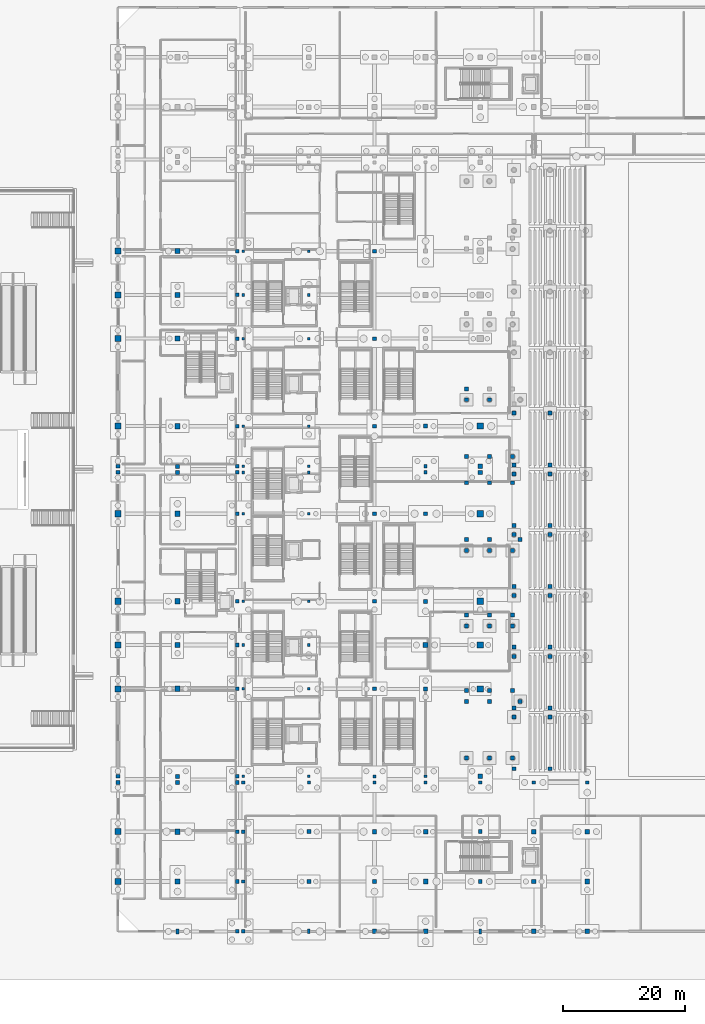
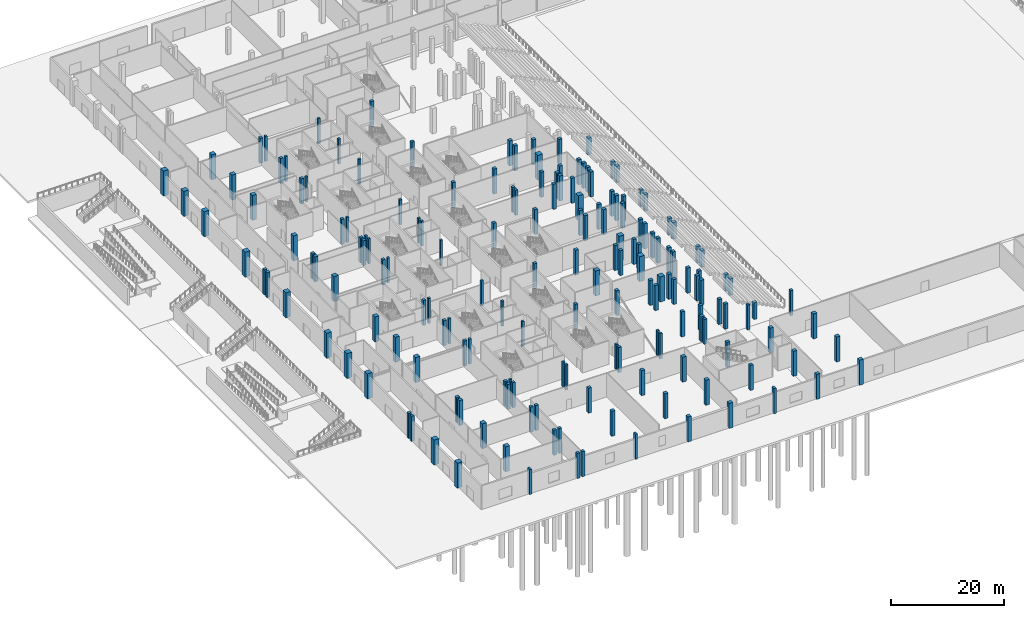
# One storey, part 15 of 89: 171 columns.
"""IFC4 building model written with IfcOpenShell, lengths in metres."""

from ifc_helpers import new_model, si_unit, direction, frame, origin, origin_2d, place, context, subcontext, project, spatial, rectangle, extrude, material, material_profile, profile_set, type_object, element, save


model = new_model("IFC4")

# Units and contexts
model_context = context("Model", 3, precision=1e-05, world=origin(), true_north=direction((0.0, 1.0)))
body_context = subcontext(model_context, "Body", "Model", "MODEL_VIEW")
ifc_project = project(units=[si_unit("LENGTHUNIT", "METRE"), si_unit("AREAUNIT", "SQUARE_METRE"), si_unit("VOLUMEUNIT", "CUBIC_METRE"), si_unit("PLANEANGLEUNIT", "RADIAN"), si_unit("MASSUNIT", "GRAM", prefix="KILO")], contexts=[model_context])

# Site, building, storey
site_placement = place(None, origin())
site = spatial("IfcSite", under=ifc_project, at=site_placement, CompositionType="ELEMENT")
building_placement = place(site_placement, origin())
building = spatial("IfcBuilding", under=site, at=building_placement, Name="Koshinbarg Plaza Stadium", CompositionType="ELEMENT")
storey_placement = place(building_placement, origin())
storey = spatial("IfcBuildingStorey", under=building, at=storey_placement, Name="L00", CompositionType="ELEMENT", Elevation=0.0)

# Columns
ifc_material = material(Name="Concrete C40/50", Category="concrete")
ifc_material_profile_1 = material_profile(ifc_material, rectangle(XDim=0.39990234375, YDim=0.699951171875, at=origin_2d()), Name="PIL 400x700")
ifc_profile_set_1 = profile_set([ifc_material_profile_1], Name="Concrete C40/50")
column_type_1 = type_object("IfcColumnType", Name="COL-PIL-01", PredefinedType="PILASTER", material=ifc_profile_set_1)
column_1_placement = place(storey_placement, frame((35.39990234375, 0.0, 0.0), z_axis=(0.0, 0.0, 1.0), x_axis=(1.0, 0.0, 0.0)))
element("IfcColumn", 1, at=column_1_placement, inside=storey, type_object=column_type_1, Name="L00 column 6/A", PredefinedType="PILASTER", context=body_context, shape_type="SweptSolid", body=[
    extrude(rectangle(XDim=0.39990234375, YDim=0.699951171875, at=origin_2d()), origin(), (0.0, 0.0, 1.0), 5.39990234375),
])
ifc_material_profile_2 = material_profile(ifc_material, rectangle(XDim=0.449951171875, YDim=0.800048828125, at=origin_2d()), Name="PIL 450x800")
ifc_profile_set_2 = profile_set([ifc_material_profile_2], Name="Concrete C40/50")
column_type_2 = type_object("IfcColumnType", Name="COL-PIL-02", PredefinedType="PILASTER", material=ifc_profile_set_2)
for number, where, z_axis, x_axis, name in (
    (2, (13.800048828125, 0.0, 0.0), (0.0, 0.0, 1.0), (1.0, 0.0, 0.0), "L00 column 3/A"),
    (3, (63.60009765625, 0.0, 0.0), (0.0, 0.0, 1.0), (1.0, 0.0, 0.0), "L00 column 9/A"),
):
    element("IfcColumn", number, at=place(storey_placement, frame(where, z_axis=z_axis, x_axis=x_axis)), inside=storey, type_object=column_type_2, Name=name, PredefinedType="PILASTER", context=body_context, shape_type="SweptSolid", body=[
        extrude(rectangle(XDim=0.449951171875, YDim=0.800048828125, at=origin_2d()), origin(), (0.0, 0.0, 1.0), 5.39990234375),
    ])
ifc_material_profile_3 = material_profile(ifc_material, rectangle(XDim=0.449951171875, YDim=0.449951171875, at=origin_2d()), Name="RC 450x450")
ifc_profile_set_3 = profile_set([ifc_material_profile_3], Name="Concrete C40/50")
column_type_3 = type_object("IfcColumnType", Name="COL-RC-01", PredefinedType="COLUMN", material=ifc_profile_set_3)
for number, where, z_axis, x_axis, name in (
    (4, (24.60009765625, 25.5, 0.0), (0.0, 0.0, 1.0), (1.0, 0.0, 0.0), "L00 column 5/E"),
    (5, (24.60009765625, 39.89990234375, 0.0), (0.0, 0.0, 1.0), (1.0, 0.0, 0.0), "L00 column 5/F"),
    (6, (24.60009765625, 47.10009765625, 0.0), (0.0, 0.0, 1.0), (1.0, 0.0, 0.0), "L00 column 5/G"),
    (7, (24.60009765625, 54.300048828125, 0.0), (0.0, 0.0, 1.0), (1.0, 0.0, 0.0), "L00 column 5/H"),
    (8, (24.60009765625, 68.699951171875, 0.0), (0.0, 0.0, 1.0), (1.0, 0.0, 0.0), "L00 column 5/J"),
    (9, (24.60009765625, 75.5, 0.0), (0.0, 0.0, 1.0), (1.0, 0.0, 0.0), "L00 column 5/K"),
    (10, (24.60009765625, 76.5, 0.0), (0.0, 0.0, 1.0), (1.0, 0.0, 0.0), "L00 column 5/L"),
    (11, (24.60009765625, 83.10009765625, 0.0), (0.0, 0.0, 1.0), (1.0, 0.0, 0.0), "L00 column 5/M"),
    (12, (24.60009765625, 97.5, 0.0), (0.0, 0.0, 1.0), (1.0, 0.0, 0.0), "L00 column 5/N"),
    (13, (24.60009765625, 104.699951171875, 0.0), (0.0, 0.0, 1.0), (1.0, 0.0, 0.0), "L00 column 5/P"),
    (14, (24.60009765625, 111.89990234375, 0.0), (0.0, 0.0, 1.0), (1.0, 0.0, 0.0), "L00 column 5/Q"),
    (15, (35.39990234375, 25.5, 0.0), (0.0, 0.0, 1.0), (1.0, 0.0, 0.0), "L00 column 6/E"),
    (16, (35.39990234375, 39.89990234375, 0.0), (0.0, 0.0, 1.0), (1.0, 0.0, 0.0), "L00 column 6/F"),
    (17, (35.39990234375, 47.10009765625, 0.0), (0.0, 0.0, 1.0), (1.0, 0.0, 0.0), "L00 column 6/G"),
    (18, (35.39990234375, 54.300048828125, 0.0), (0.0, 0.0, 1.0), (1.0, 0.0, 0.0), "L00 column 6/H"),
    (19, (35.39990234375, 68.699951171875, 0.0), (0.0, 0.0, 1.0), (1.0, 0.0, 0.0), "L00 column 6/J"),
    (20, (35.39990234375, 75.5, 0.0), (0.0, 0.0, 1.0), (1.0, 0.0, 0.0), "L00 column 6/K"),
    (21, (35.39990234375, 76.5, 0.0), (0.0, 0.0, 1.0), (1.0, 0.0, 0.0), "L00 column 6/L"),
    (22, (35.39990234375, 83.10009765625, 0.0), (0.0, 0.0, 1.0), (1.0, 0.0, 0.0), "L00 column 6/M"),
    (23, (35.39990234375, 97.5, 0.0), (0.0, 0.0, 1.0), (1.0, 0.0, 0.0), "L00 column 6/N"),
    (24, (35.39990234375, 104.699951171875, 0.0), (0.0, 0.0, 1.0), (1.0, 0.0, 0.0), "L00 column 6/P"),
    (25, (35.39990234375, 111.89990234375, 0.0), (0.0, 0.0, 1.0), (1.0, 0.0, 0.0), "L00 column 6/Q"),
    (26, (54.60009765625, 25.5, 0.0), (0.0, 0.0, 1.0), (1.0, 0.0, 0.0), "L00 column 8/E"),
):
    element("IfcColumn", number, at=place(storey_placement, frame(where, z_axis=z_axis, x_axis=x_axis)), inside=storey, type_object=column_type_3, Name=name, PredefinedType="COLUMN", context=body_context, shape_type="SweptSolid", body=[
        extrude(rectangle(XDim=0.449951171875, YDim=0.449951171875, at=origin_2d()), origin(), (0.0, 0.0, 1.0), 5.39990234375),
    ])
ifc_material_profile_4 = material_profile(ifc_material, rectangle(XDim=0.5, YDim=0.5, at=origin_2d()), Name="RC 500x500")
ifc_profile_set_4 = profile_set([ifc_material_profile_4], Name="Concrete C40/50")
column_type_4 = type_object("IfcColumnType", Name="COL-RC-02", PredefinedType="COLUMN", material=ifc_profile_set_4)
for number, where, z_axis, x_axis, name in (
    (27, (72.39990234375, 24.5, 0.0), (0.0, 0.0, 1.0), (1.0, 0.0, 0.0), "L00 column 10/D"),
    (28, (35.39990234375, 24.5, 0.0), (0.0, 0.0, 1.0), (1.0, 0.0, 0.0), "L00 column 6/D"),
    (29, (46.199951171875, 25.5, 0.0), (0.0, 0.0, 1.0), (1.0, 0.0, 0.0), "L00 column 7/E"),
    (30, (54.60009765625, 24.5, 0.0), (0.0, 0.0, 1.0), (1.0, 0.0, 0.0), "L00 column 8/D"),
):
    element("IfcColumn", number, at=place(storey_placement, frame(where, z_axis=z_axis, x_axis=x_axis)), inside=storey, type_object=column_type_4, Name=name, PredefinedType="COLUMN", context=body_context, shape_type="SweptSolid", body=[
        extrude(rectangle(XDim=0.5, YDim=0.5, at=origin_2d()), origin(), (0.0, 0.0, 1.0), 5.39990234375),
    ])
ifc_material_profile_5 = material_profile(ifc_material, rectangle(XDim=0.550048828125, YDim=0.550048828125, at=origin_2d()), Name="RC 550x550")
ifc_profile_set_5 = profile_set([ifc_material_profile_5], Name="Concrete C40/50")
column_type_5 = type_object("IfcColumnType", Name="COL-RC-03", PredefinedType="COLUMN", material=ifc_profile_set_5)
for number, where, z_axis, x_axis, name in (
    (31, (81.199951171875, 24.5, 0.0), (0.0, 0.0, 1.0), (1.0, 0.0, 0.0), "L00 column 11/D"),
    (32, (24.60009765625, 0.0, 0.0), (0.0, 0.0, 1.0), (1.0, 0.0, 0.0), "L00 column 5/A"),
    (33, (24.60009765625, 8.199951171875, 0.0), (0.0, 0.0, 1.0), (1.0, 0.0, 0.0), "L00 column 5/B"),
    (34, (24.60009765625, 16.39990234375, 0.0), (0.0, 0.0, 1.0), (1.0, 0.0, 0.0), "L00 column 5/C"),
    (35, (24.60009765625, 24.5, 0.0), (0.0, 0.0, 1.0), (1.0, 0.0, 0.0), "L00 column 5/D"),
    (36, (46.199951171875, 24.5, 0.0), (0.0, 0.0, 1.0), (1.0, 0.0, 0.0), "L00 column 7/D"),
    (37, (54.60009765625, 75.5, 0.0), (0.0, 0.0, 1.0), (1.0, 0.0, 0.0), "L00 column 8/K"),
    (38, (54.60009765625, 76.5, 0.0), (0.0, 0.0, 1.0), (1.0, 0.0, 0.0), "L00 column 8/L"),
    (39, (63.60009765625, 24.5, 0.0), (0.0, 0.0, 1.0), (1.0, 0.0, 0.0), "L00 column 9/D"),
):
    element("IfcColumn", number, at=place(storey_placement, frame(where, z_axis=z_axis, x_axis=x_axis)), inside=storey, type_object=column_type_5, Name=name, PredefinedType="COLUMN", context=body_context, shape_type="SweptSolid", body=[
        extrude(rectangle(XDim=0.550048828125, YDim=0.550048828125, at=origin_2d()), origin(), (0.0, 0.0, 1.0), 5.39990234375),
    ])
ifc_material_profile_6 = material_profile(ifc_material, rectangle(XDim=0.60009765625, YDim=0.60009765625, at=origin_2d()), Name="RC 600x600")
ifc_profile_set_6 = profile_set([ifc_material_profile_6], Name="Concrete C40/50")
column_type_6 = type_object("IfcColumnType", Name="COL-RC-04", PredefinedType="COLUMN", material=ifc_profile_set_6)
for number, where, z_axis, x_axis, name in (
    (40, (4.0, 24.5, 0.0), (0.0, 0.0, 1.0), (1.0, 0.0, 0.0), "L00 column 2/D"),
    (41, (4.0, 25.5, 0.0), (0.0, 0.0, 1.0), (1.0, 0.0, 0.0), "L00 column 2/E"),
    (42, (4.0, 75.5, 0.0), (0.0, 0.0, 1.0), (1.0, 0.0, 0.0), "L00 column 2/K"),
    (43, (4.0, 76.5, 0.0), (0.0, 0.0, 1.0), (1.0, 0.0, 0.0), "L00 column 2/L"),
    (44, (23.60009765625, 0.0, 0.0), (0.0, 0.0, 1.0), (1.0, 0.0, 0.0), "L00 column 4/A"),
    (45, (23.60009765625, 8.199951171875, 0.0), (0.0, 0.0, 1.0), (1.0, 0.0, 0.0), "L00 column 4/B"),
    (46, (23.60009765625, 16.39990234375, 0.0), (0.0, 0.0, 1.0), (1.0, 0.0, 0.0), "L00 column 4/C"),
    (47, (23.60009765625, 24.5, 0.0), (0.0, 0.0, 1.0), (1.0, 0.0, 0.0), "L00 column 4/D"),
    (48, (23.60009765625, 25.5, 0.0), (0.0, 0.0, 1.0), (1.0, 0.0, 0.0), "L00 column 4/E"),
    (49, (23.60009765625, 39.89990234375, 0.0), (0.0, 0.0, 1.0), (1.0, 0.0, 0.0), "L00 column 4/F"),
    (50, (23.60009765625, 47.10009765625, 0.0), (0.0, 0.0, 1.0), (1.0, 0.0, 0.0), "L00 column 4/G"),
    (51, (23.60009765625, 54.300048828125, 0.0), (0.0, 0.0, 1.0), (1.0, 0.0, 0.0), "L00 column 4/H"),
    (52, (23.60009765625, 68.699951171875, 0.0), (0.0, 0.0, 1.0), (1.0, 0.0, 0.0), "L00 column 4/J"),
    (53, (23.60009765625, 75.5, 0.0), (0.0, 0.0, 1.0), (1.0, 0.0, 0.0), "L00 column 4/K"),
    (54, (23.60009765625, 76.5, 0.0), (0.0, 0.0, 1.0), (1.0, 0.0, 0.0), "L00 column 4/L"),
    (55, (23.60009765625, 83.10009765625, 0.0), (0.0, 0.0, 1.0), (1.0, 0.0, 0.0), "L00 column 4/M"),
    (56, (23.60009765625, 97.5, 0.0), (0.0, 0.0, 1.0), (1.0, 0.0, 0.0), "L00 column 4/N"),
    (57, (23.60009765625, 104.699951171875, 0.0), (0.0, 0.0, 1.0), (1.0, 0.0, 0.0), "L00 column 4/P"),
    (58, (23.60009765625, 111.89990234375, 0.0), (0.0, 0.0, 1.0), (1.0, 0.0, 0.0), "L00 column 4/Q"),
    (59, (46.199951171875, 39.89990234375, 0.0), (0.0, 0.0, 1.0), (1.0, 0.0, 0.0), "L00 column 7/F"),
    (60, (46.199951171875, 54.300048828125, 0.0), (0.0, 0.0, 1.0), (1.0, 0.0, 0.0), "L00 column 7/H"),
    (61, (46.199951171875, 68.699951171875, 0.0), (0.0, 0.0, 1.0), (1.0, 0.0, 0.0), "L00 column 7/J"),
    (62, (46.199951171875, 83.10009765625, 0.0), (0.0, 0.0, 1.0), (1.0, 0.0, 0.0), "L00 column 7/M"),
    (63, (46.199951171875, 97.5, 0.0), (0.0, 0.0, 1.0), (1.0, 0.0, 0.0), "L00 column 7/N"),
    (64, (46.199951171875, 111.89990234375, 0.0), (0.0, 0.0, 1.0), (1.0, 0.0, 0.0), "L00 column 7/Q"),
):
    element("IfcColumn", number, at=place(storey_placement, frame(where, z_axis=z_axis, x_axis=x_axis)), inside=storey, type_object=column_type_6, Name=name, PredefinedType="COLUMN", context=body_context, shape_type="SweptSolid", body=[
        extrude(rectangle(XDim=0.60009765625, YDim=0.60009765625, at=origin_2d()), origin(), (0.0, 0.0, 1.0), 5.39990234375),
    ])
ifc_material_profile_7 = material_profile(ifc_material, rectangle(XDim=0.64990234375, YDim=0.64990234375, at=origin_2d()), Name="RC 650x650")
ifc_profile_set_7 = profile_set([ifc_material_profile_7], Name="Concrete C40/50")
column_type_7 = type_object("IfcColumnType", Name="COL-RC-05", PredefinedType="COLUMN", material=ifc_profile_set_7)
for number, where, z_axis, x_axis, name in (
    (65, (13.800048828125, 24.5, 0.0), (0.0, 0.0, 1.0), (1.0, 0.0, 0.0), "L00 column 3/D"),
    (66, (13.800048828125, 25.5, 0.0), (0.0, 0.0, 1.0), (1.0, 0.0, 0.0), "L00 column 3/E"),
    (67, (13.800048828125, 75.5, 0.0), (0.0, 0.0, 1.0), (1.0, 0.0, 0.0), "L00 column 3/K"),
    (68, (13.800048828125, 76.5, 0.0), (0.0, 0.0, 1.0), (1.0, 0.0, 0.0), "L00 column 3/L"),
    (69, (35.39990234375, 8.199951171875, 0.0), (0.0, 0.0, 1.0), (1.0, 0.0, 0.0), "L00 column 6/B"),
    (70, (35.39990234375, 16.39990234375, 0.0), (0.0, 0.0, 1.0), (1.0, 0.0, 0.0), "L00 column 6/C"),
    (71, (54.60009765625, 39.89990234375, 0.0), (0.0, 0.0, 1.0), (1.0, 0.0, 0.0), "L00 column 8/F"),
    (72, (54.60009765625, 54.300048828125, 0.0), (0.0, 0.0, 1.0), (1.0, 0.0, 0.0), "L00 column 8/H"),
    (73, (54.60009765625, 68.699951171875, 0.0), (0.0, 0.0, 1.0), (1.0, 0.0, 0.0), "L00 column 8/J"),
    (74, (54.60009765625, 83.10009765625, 0.0), (0.0, 0.0, 1.0), (1.0, 0.0, 0.0), "L00 column 8/M"),
    (75, (63.60009765625, 8.199951171875, 0.0), (0.0, 0.0, 1.0), (1.0, 0.0, 0.0), "L00 column 9/B"),
    (76, (63.60009765625, 16.39990234375, 0.0), (0.0, 0.0, 1.0), (1.0, 0.0, 0.0), "L00 column 9/C"),
):
    element("IfcColumn", number, at=place(storey_placement, frame(where, z_axis=z_axis, x_axis=x_axis)), inside=storey, type_object=column_type_7, Name=name, PredefinedType="COLUMN", context=body_context, shape_type="SweptSolid", body=[
        extrude(rectangle(XDim=0.64990234375, YDim=0.64990234375, at=origin_2d()), origin(), (0.0, 0.0, 1.0), 5.39990234375),
    ])
column_2_placement = place(storey_placement, frame((75.050048828125, 26.75, 0.0), z_axis=(0.0, 0.0, 1.0), x_axis=(1.0, 0.0, 0.0)))
element("IfcColumn", 77, at=column_2_placement, inside=storey, type_object=column_type_7, Name="L00 bowl raker column LT-W01-L-M", PredefinedType="COLUMN", context=body_context, shape_type="SweptSolid", body=[
    extrude(rectangle(XDim=0.64990234375, YDim=0.64990234375, at=origin_2d()), origin(), (0.0, 0.0, 1.0), 3.6083984375),
])
column_3_placement = place(storey_placement, frame((69.139892578125, 26.75, 0.0), z_axis=(0.0, 0.0, 1.0), x_axis=(1.0, 0.0, 0.0)))
element("IfcColumn", 78, at=column_3_placement, inside=storey, type_object=column_type_7, Name="L00 bowl raker column LT-W01-L-B", PredefinedType="COLUMN", context=body_context, shape_type="SweptSolid", body=[
    extrude(rectangle(XDim=0.64990234375, YDim=0.64990234375, at=origin_2d()), origin(), (0.0, 0.0, 1.0), 5.39990234375),
])
column_4_placement = place(storey_placement, frame((75.050048828125, 35.25, 0.0), z_axis=(0.0, 0.0, 1.0), x_axis=(1.0, 0.0, 0.0)))
element("IfcColumn", 79, at=column_4_placement, inside=storey, type_object=column_type_7, Name="L00 bowl raker column LT-W01-R-M", PredefinedType="COLUMN", context=body_context, shape_type="SweptSolid", body=[
    extrude(rectangle(XDim=0.64990234375, YDim=0.64990234375, at=origin_2d()), origin(), (0.0, 0.0, 1.0), 3.6083984375),
])
column_5_placement = place(storey_placement, frame((69.139892578125, 35.25, 0.0), z_axis=(0.0, 0.0, 1.0), x_axis=(1.0, 0.0, 0.0)))
element("IfcColumn", 80, at=column_5_placement, inside=storey, type_object=column_type_7, Name="L00 bowl raker column LT-W01-R-B", PredefinedType="COLUMN", context=body_context, shape_type="SweptSolid", body=[
    extrude(rectangle(XDim=0.64990234375, YDim=0.64990234375, at=origin_2d()), origin(), (0.0, 0.0, 1.0), 5.39990234375),
])
column_6_placement = place(storey_placement, frame((75.050048828125, 36.75, 0.0), z_axis=(0.0, 0.0, 1.0), x_axis=(1.0, 0.0, 0.0)))
element("IfcColumn", 81, at=column_6_placement, inside=storey, type_object=column_type_7, Name="L00 bowl raker column LT-W02-L-M", PredefinedType="COLUMN", context=body_context, shape_type="SweptSolid", body=[
    extrude(rectangle(XDim=0.64990234375, YDim=0.64990234375, at=origin_2d()), origin(), (0.0, 0.0, 1.0), 3.6083984375),
])
column_7_placement = place(storey_placement, frame((69.139892578125, 36.75, 0.0), z_axis=(0.0, 0.0, 1.0), x_axis=(1.0, 0.0, 0.0)))
element("IfcColumn", 82, at=column_7_placement, inside=storey, type_object=column_type_7, Name="L00 bowl raker column LT-W02-L-B", PredefinedType="COLUMN", context=body_context, shape_type="SweptSolid", body=[
    extrude(rectangle(XDim=0.64990234375, YDim=0.64990234375, at=origin_2d()), origin(), (0.0, 0.0, 1.0), 5.39990234375),
])
column_8_placement = place(storey_placement, frame((75.050048828125, 45.25, 0.0), z_axis=(0.0, 0.0, 1.0), x_axis=(1.0, 0.0, 0.0)))
element("IfcColumn", 83, at=column_8_placement, inside=storey, type_object=column_type_7, Name="L00 bowl raker column LT-W02-R-M", PredefinedType="COLUMN", context=body_context, shape_type="SweptSolid", body=[
    extrude(rectangle(XDim=0.64990234375, YDim=0.64990234375, at=origin_2d()), origin(), (0.0, 0.0, 1.0), 3.6083984375),
])
column_9_placement = place(storey_placement, frame((69.139892578125, 45.25, 0.0), z_axis=(0.0, 0.0, 1.0), x_axis=(1.0, 0.0, 0.0)))
element("IfcColumn", 84, at=column_9_placement, inside=storey, type_object=column_type_7, Name="L00 bowl raker column LT-W02-R-B", PredefinedType="COLUMN", context=body_context, shape_type="SweptSolid", body=[
    extrude(rectangle(XDim=0.64990234375, YDim=0.64990234375, at=origin_2d()), origin(), (0.0, 0.0, 1.0), 5.39990234375),
])
column_10_placement = place(storey_placement, frame((75.050048828125, 46.75, 0.0), z_axis=(0.0, 0.0, 1.0), x_axis=(1.0, 0.0, 0.0)))
element("IfcColumn", 85, at=column_10_placement, inside=storey, type_object=column_type_7, Name="L00 bowl raker column LT-W03-L-M", PredefinedType="COLUMN", context=body_context, shape_type="SweptSolid", body=[
    extrude(rectangle(XDim=0.64990234375, YDim=0.64990234375, at=origin_2d()), origin(), (0.0, 0.0, 1.0), 3.6083984375),
])
column_11_placement = place(storey_placement, frame((69.139892578125, 46.75, 0.0), z_axis=(0.0, 0.0, 1.0), x_axis=(1.0, 0.0, 0.0)))
element("IfcColumn", 86, at=column_11_placement, inside=storey, type_object=column_type_7, Name="L00 bowl raker column LT-W03-L-B", PredefinedType="COLUMN", context=body_context, shape_type="SweptSolid", body=[
    extrude(rectangle(XDim=0.64990234375, YDim=0.64990234375, at=origin_2d()), origin(), (0.0, 0.0, 1.0), 5.39990234375),
])
column_12_placement = place(storey_placement, frame((75.050048828125, 55.25, 0.0), z_axis=(0.0, 0.0, 1.0), x_axis=(1.0, 0.0, 0.0)))
element("IfcColumn", 87, at=column_12_placement, inside=storey, type_object=column_type_7, Name="L00 bowl raker column LT-W03-R-M", PredefinedType="COLUMN", context=body_context, shape_type="SweptSolid", body=[
    extrude(rectangle(XDim=0.64990234375, YDim=0.64990234375, at=origin_2d()), origin(), (0.0, 0.0, 1.0), 3.6083984375),
])
column_13_placement = place(storey_placement, frame((69.139892578125, 55.25, 0.0), z_axis=(0.0, 0.0, 1.0), x_axis=(1.0, 0.0, 0.0)))
element("IfcColumn", 88, at=column_13_placement, inside=storey, type_object=column_type_7, Name="L00 bowl raker column LT-W03-R-B", PredefinedType="COLUMN", context=body_context, shape_type="SweptSolid", body=[
    extrude(rectangle(XDim=0.64990234375, YDim=0.64990234375, at=origin_2d()), origin(), (0.0, 0.0, 1.0), 5.39990234375),
])
column_14_placement = place(storey_placement, frame((75.050048828125, 56.75, 0.0), z_axis=(0.0, 0.0, 1.0), x_axis=(1.0, 0.0, 0.0)))
element("IfcColumn", 89, at=column_14_placement, inside=storey, type_object=column_type_7, Name="L00 bowl raker column LT-W04-L-M", PredefinedType="COLUMN", context=body_context, shape_type="SweptSolid", body=[
    extrude(rectangle(XDim=0.64990234375, YDim=0.64990234375, at=origin_2d()), origin(), (0.0, 0.0, 1.0), 3.6083984375),
])
column_15_placement = place(storey_placement, frame((69.139892578125, 56.75, 0.0), z_axis=(0.0, 0.0, 1.0), x_axis=(1.0, 0.0, 0.0)))
element("IfcColumn", 90, at=column_15_placement, inside=storey, type_object=column_type_7, Name="L00 bowl raker column LT-W04-L-B", PredefinedType="COLUMN", context=body_context, shape_type="SweptSolid", body=[
    extrude(rectangle(XDim=0.64990234375, YDim=0.64990234375, at=origin_2d()), origin(), (0.0, 0.0, 1.0), 5.39990234375),
])
column_16_placement = place(storey_placement, frame((75.050048828125, 65.25, 0.0), z_axis=(0.0, 0.0, 1.0), x_axis=(1.0, 0.0, 0.0)))
element("IfcColumn", 91, at=column_16_placement, inside=storey, type_object=column_type_7, Name="L00 bowl raker column LT-W04-R-M", PredefinedType="COLUMN", context=body_context, shape_type="SweptSolid", body=[
    extrude(rectangle(XDim=0.64990234375, YDim=0.64990234375, at=origin_2d()), origin(), (0.0, 0.0, 1.0), 3.6083984375),
])
column_17_placement = place(storey_placement, frame((69.139892578125, 65.25, 0.0), z_axis=(0.0, 0.0, 1.0), x_axis=(1.0, 0.0, 0.0)))
element("IfcColumn", 92, at=column_17_placement, inside=storey, type_object=column_type_7, Name="L00 bowl raker column LT-W04-R-B", PredefinedType="COLUMN", context=body_context, shape_type="SweptSolid", body=[
    extrude(rectangle(XDim=0.64990234375, YDim=0.64990234375, at=origin_2d()), origin(), (0.0, 0.0, 1.0), 5.39990234375),
])
column_18_placement = place(storey_placement, frame((75.050048828125, 66.75, 0.0), z_axis=(0.0, 0.0, 1.0), x_axis=(1.0, 0.0, 0.0)))
element("IfcColumn", 93, at=column_18_placement, inside=storey, type_object=column_type_7, Name="L00 bowl raker column LT-W05-L-M", PredefinedType="COLUMN", context=body_context, shape_type="SweptSolid", body=[
    extrude(rectangle(XDim=0.64990234375, YDim=0.64990234375, at=origin_2d()), origin(), (0.0, 0.0, 1.0), 3.6083984375),
])
column_19_placement = place(storey_placement, frame((69.139892578125, 66.75, 0.0), z_axis=(0.0, 0.0, 1.0), x_axis=(1.0, 0.0, 0.0)))
element("IfcColumn", 94, at=column_19_placement, inside=storey, type_object=column_type_7, Name="L00 bowl raker column LT-W05-L-B", PredefinedType="COLUMN", context=body_context, shape_type="SweptSolid", body=[
    extrude(rectangle(XDim=0.64990234375, YDim=0.64990234375, at=origin_2d()), origin(), (0.0, 0.0, 1.0), 5.39990234375),
])
column_20_placement = place(storey_placement, frame((75.050048828125, 75.25, 0.0), z_axis=(0.0, 0.0, 1.0), x_axis=(1.0, 0.0, 0.0)))
element("IfcColumn", 95, at=column_20_placement, inside=storey, type_object=column_type_7, Name="L00 bowl raker column LT-W05-R-M", PredefinedType="COLUMN", context=body_context, shape_type="SweptSolid", body=[
    extrude(rectangle(XDim=0.64990234375, YDim=0.64990234375, at=origin_2d()), origin(), (0.0, 0.0, 1.0), 3.6083984375),
])
column_21_placement = place(storey_placement, frame((69.139892578125, 75.25, 0.0), z_axis=(0.0, 0.0, 1.0), x_axis=(1.0, 0.0, 0.0)))
element("IfcColumn", 96, at=column_21_placement, inside=storey, type_object=column_type_7, Name="L00 bowl raker column LT-W05-R-B", PredefinedType="COLUMN", context=body_context, shape_type="SweptSolid", body=[
    extrude(rectangle(XDim=0.64990234375, YDim=0.64990234375, at=origin_2d()), origin(), (0.0, 0.0, 1.0), 5.39990234375),
])
column_22_placement = place(storey_placement, frame((75.050048828125, 76.75, 0.0), z_axis=(0.0, 0.0, 1.0), x_axis=(1.0, 0.0, 0.0)))
element("IfcColumn", 97, at=column_22_placement, inside=storey, type_object=column_type_7, Name="L00 bowl raker column LT-W06-L-M", PredefinedType="COLUMN", context=body_context, shape_type="SweptSolid", body=[
    extrude(rectangle(XDim=0.64990234375, YDim=0.64990234375, at=origin_2d()), origin(), (0.0, 0.0, 1.0), 3.6083984375),
])
column_23_placement = place(storey_placement, frame((69.139892578125, 76.75, 0.0), z_axis=(0.0, 0.0, 1.0), x_axis=(1.0, 0.0, 0.0)))
element("IfcColumn", 98, at=column_23_placement, inside=storey, type_object=column_type_7, Name="L00 bowl raker column LT-W06-L-B", PredefinedType="COLUMN", context=body_context, shape_type="SweptSolid", body=[
    extrude(rectangle(XDim=0.64990234375, YDim=0.64990234375, at=origin_2d()), origin(), (0.0, 0.0, 1.0), 5.39990234375),
])
column_24_placement = place(storey_placement, frame((75.050048828125, 85.25, 0.0), z_axis=(0.0, 0.0, 1.0), x_axis=(1.0, 0.0, 0.0)))
element("IfcColumn", 99, at=column_24_placement, inside=storey, type_object=column_type_7, Name="L00 bowl raker column LT-W06-R-M", PredefinedType="COLUMN", context=body_context, shape_type="SweptSolid", body=[
    extrude(rectangle(XDim=0.64990234375, YDim=0.64990234375, at=origin_2d()), origin(), (0.0, 0.0, 1.0), 3.6083984375),
])
for number, where, z_axis, x_axis, name in (
    (100, (69.139892578125, 85.25, 0.0), (0.0, 0.0, 1.0), (1.0, 0.0, 0.0), "L00 bowl raker column LT-W06-R-B"),
    (101, (68.919921875, 28.5, 0.0), (0.0, 0.0, 1.0), (1.0, 0.0, 0.0), "L00 bowl raker column UT-W01-L-CF"),
    (102, (65.10009765625, 28.5, 0.0), (0.0, 0.0, 1.0), (1.0, 0.0, 0.0), "L00 bowl raker column UT-W01-L-CM"),
    (103, (61.340087890625, 28.5, 0.0), (0.0, 0.0, 1.0), (1.0, 0.0, 0.0), "L00 bowl raker column UT-W01-L-CB"),
    (104, (70.169921875, 37.85009765625, 0.0), (0.0, 0.0, 1.0), (1.0, 0.0, 0.0), "L00 bowl raker column UT-W01-R-CF"),
    (105, (65.10009765625, 37.85009765625, 0.0), (0.0, 0.0, 1.0), (1.0, 0.0, 0.0), "L00 bowl raker column UT-W01-R-CM"),
    (106, (61.340087890625, 37.85009765625, 0.0), (0.0, 0.0, 1.0), (1.0, 0.0, 0.0), "L00 bowl raker column UT-W01-R-CB"),
    (107, (68.919921875, 39.64990234375, 0.0), (0.0, 0.0, 1.0), (1.0, 0.0, 0.0), "L00 bowl raker column UT-W02-L-CF"),
    (108, (65.10009765625, 39.64990234375, 0.0), (0.0, 0.0, 1.0), (1.0, 0.0, 0.0), "L00 bowl raker column UT-W02-L-CM"),
    (109, (61.340087890625, 39.64990234375, 0.0), (0.0, 0.0, 1.0), (1.0, 0.0, 0.0), "L00 bowl raker column UT-W02-L-CB"),
    (110, (68.919921875, 50.25, 0.0), (0.0, 0.0, 1.0), (1.0, 0.0, 0.0), "L00 bowl raker column UT-W02-R-CF"),
    (111, (65.10009765625, 50.25, 0.0), (0.0, 0.0, 1.0), (1.0, 0.0, 0.0), "L00 bowl raker column UT-W02-R-CM"),
    (112, (61.340087890625, 50.25, 0.0), (0.0, 0.0, 1.0), (1.0, 0.0, 0.0), "L00 bowl raker column UT-W02-R-CB"),
    (113, (68.919921875, 52.050048828125, 0.0), (0.0, 0.0, 1.0), (1.0, 0.0, 0.0), "L00 bowl raker column UT-W03-L-CF"),
    (114, (65.10009765625, 52.050048828125, 0.0), (0.0, 0.0, 1.0), (1.0, 0.0, 0.0), "L00 bowl raker column UT-W03-L-CM"),
    (115, (61.340087890625, 52.050048828125, 0.0), (0.0, 0.0, 1.0), (1.0, 0.0, 0.0), "L00 bowl raker column UT-W03-L-CB"),
    (116, (68.919921875, 62.64990234375, 0.0), (0.0, 0.0, 1.0), (1.0, 0.0, 0.0), "L00 bowl raker column UT-W03-R-CF"),
    (117, (65.10009765625, 62.64990234375, 0.0), (0.0, 0.0, 1.0), (1.0, 0.0, 0.0), "L00 bowl raker column UT-W03-R-CM"),
    (118, (61.340087890625, 62.64990234375, 0.0), (0.0, 0.0, 1.0), (1.0, 0.0, 0.0), "L00 bowl raker column UT-W03-R-CB"),
    (119, (70.169921875, 64.449951171875, 0.0), (0.0, 0.0, 1.0), (1.0, 0.0, 0.0), "L00 bowl raker column UT-W04-L-CF"),
    (120, (65.10009765625, 64.449951171875, 0.0), (0.0, 0.0, 1.0), (1.0, 0.0, 0.0), "L00 bowl raker column UT-W04-L-CM"),
    (121, (61.340087890625, 64.449951171875, 0.0), (0.0, 0.0, 1.0), (1.0, 0.0, 0.0), "L00 bowl raker column UT-W04-L-CB"),
    (122, (68.919921875, 73.800048828125, 0.0), (0.0, 0.0, 1.0), (1.0, 0.0, 0.0), "L00 bowl raker column UT-W04-R-CF"),
    (123, (65.10009765625, 73.800048828125, 0.0), (0.0, 0.0, 1.0), (1.0, 0.0, 0.0), "L00 bowl raker column UT-W04-R-CM"),
    (124, (61.340087890625, 73.800048828125, 0.0), (0.0, 0.0, 1.0), (1.0, 0.0, 0.0), "L00 bowl raker column UT-W04-R-CB"),
    (125, (68.919921875, 78.10009765625, 0.0), (0.0, 0.0, 1.0), (1.0, 0.0, 0.0), "L00 bowl raker column UT-W05-L-CF"),
    (126, (65.10009765625, 78.10009765625, 0.0), (0.0, 0.0, 1.0), (1.0, 0.0, 0.0), "L00 bowl raker column UT-W05-L-CM"),
    (127, (61.340087890625, 78.10009765625, 0.0), (0.0, 0.0, 1.0), (1.0, 0.0, 0.0), "L00 bowl raker column UT-W05-L-CB"),
    (128, (65.10009765625, 87.449951171875, 0.0), (0.0, 0.0, 1.0), (1.0, 0.0, 0.0), "L00 bowl raker column UT-W05-R-CM"),
    (129, (61.340087890625, 87.449951171875, 0.0), (0.0, 0.0, 1.0), (1.0, 0.0, 0.0), "L00 bowl raker column UT-W05-R-CB"),
    (130, (61.340087890625, 89.25, 0.0), (0.0, 0.0, 1.0), (1.0, 0.0, 0.0), "L00 bowl raker column UT-W06-L-CB"),
):
    element("IfcColumn", number, at=place(storey_placement, frame(where, z_axis=z_axis, x_axis=x_axis)), inside=storey, type_object=column_type_7, Name=name, PredefinedType="COLUMN", context=body_context, shape_type="SweptSolid", body=[
        extrude(rectangle(XDim=0.64990234375, YDim=0.64990234375, at=origin_2d()), origin(), (0.0, 0.0, 1.0), 5.39990234375),
    ])
ifc_material_profile_8 = material_profile(ifc_material, rectangle(XDim=0.699951171875, YDim=0.699951171875, at=origin_2d()), Name="RC 700x700")
ifc_profile_set_8 = profile_set([ifc_material_profile_8], Name="Concrete C40/50")
column_type_8 = type_object("IfcColumnType", Name="COL-RC-06", PredefinedType="COLUMN", material=ifc_profile_set_8)
for number, where, z_axis, x_axis, name in (
    (131, (72.39990234375, 0.0, 0.0), (0.0, 0.0, 1.0), (1.0, 0.0, 0.0), "L00 column 10/A"),
    (132, (72.39990234375, 8.199951171875, 0.0), (0.0, 0.0, 1.0), (1.0, 0.0, 0.0), "L00 column 10/B"),
    (133, (72.39990234375, 16.39990234375, 0.0), (0.0, 0.0, 1.0), (1.0, 0.0, 0.0), "L00 column 10/C"),
    (134, (46.199951171875, 0.0, 0.0), (0.0, 0.0, 1.0), (1.0, 0.0, 0.0), "L00 column 7/A"),
    (135, (46.199951171875, 8.199951171875, 0.0), (0.0, 0.0, 1.0), (1.0, 0.0, 0.0), "L00 column 7/B"),
    (136, (46.199951171875, 16.39990234375, 0.0), (0.0, 0.0, 1.0), (1.0, 0.0, 0.0), "L00 column 7/C"),
    (137, (63.60009765625, 25.5, 0.0), (0.0, 0.0, 1.0), (1.0, 0.0, 0.0), "L00 column 9/E"),
    (138, (63.60009765625, 75.5, 0.0), (0.0, 0.0, 1.0), (1.0, 0.0, 0.0), "L00 column 9/K"),
    (139, (63.60009765625, 76.5, 0.0), (0.0, 0.0, 1.0), (1.0, 0.0, 0.0), "L00 column 9/L"),
):
    element("IfcColumn", number, at=place(storey_placement, frame(where, z_axis=z_axis, x_axis=x_axis)), inside=storey, type_object=column_type_8, Name=name, PredefinedType="COLUMN", context=body_context, shape_type="SweptSolid", body=[
        extrude(rectangle(XDim=0.699951171875, YDim=0.699951171875, at=origin_2d()), origin(), (0.0, 0.0, 1.0), 5.39990234375),
    ])
ifc_material_profile_9 = material_profile(ifc_material, rectangle(XDim=0.75, YDim=0.75, at=origin_2d()), Name="RC 750x750")
ifc_profile_set_9 = profile_set([ifc_material_profile_9], Name="Concrete C40/50")
column_type_9 = type_object("IfcColumnType", Name="COL-RC-07", PredefinedType="COLUMN", material=ifc_profile_set_9)
for number, where, z_axis, x_axis, name in (
    (140, (81.199951171875, 0.0, 0.0), (0.0, 0.0, 1.0), (1.0, 0.0, 0.0), "L00 column 11/A"),
    (141, (81.199951171875, 8.199951171875, 0.0), (0.0, 0.0, 1.0), (1.0, 0.0, 0.0), "L00 column 11/B"),
    (142, (81.199951171875, 16.39990234375, 0.0), (0.0, 0.0, 1.0), (1.0, 0.0, 0.0), "L00 column 11/C"),
    (143, (54.60009765625, 0.0, 0.0), (0.0, 0.0, 1.0), (1.0, 0.0, 0.0), "L00 column 8/A"),
    (144, (54.60009765625, 8.199951171875, 0.0), (0.0, 0.0, 1.0), (1.0, 0.0, 0.0), "L00 column 8/B"),
    (145, (54.60009765625, 16.39990234375, 0.0), (0.0, 0.0, 1.0), (1.0, 0.0, 0.0), "L00 column 8/C"),
):
    element("IfcColumn", number, at=place(storey_placement, frame(where, z_axis=z_axis, x_axis=x_axis)), inside=storey, type_object=column_type_9, Name=name, PredefinedType="COLUMN", context=body_context, shape_type="SweptSolid", body=[
        extrude(rectangle(XDim=0.75, YDim=0.75, at=origin_2d()), origin(), (0.0, 0.0, 1.0), 5.39990234375),
    ])
ifc_material_profile_10 = material_profile(ifc_material, rectangle(XDim=0.85009765625, YDim=0.85009765625, at=origin_2d()), Name="RC 850x850")
ifc_profile_set_10 = profile_set([ifc_material_profile_10], Name="Concrete C40/50")
column_type_10 = type_object("IfcColumnType", Name="COL-RC-09", PredefinedType="COLUMN", material=ifc_profile_set_10)
for number, where, z_axis, x_axis, name in (
    (146, (13.800048828125, 8.199951171875, 0.0), (0.0, 0.0, 1.0), (1.0, 0.0, 0.0), "L00 column 3/B"),
    (147, (13.800048828125, 16.39990234375, 0.0), (0.0, 0.0, 1.0), (1.0, 0.0, 0.0), "L00 column 3/C"),
    (148, (13.800048828125, 39.89990234375, 0.0), (0.0, 0.0, 1.0), (1.0, 0.0, 0.0), "L00 column 3/F"),
    (149, (13.800048828125, 47.10009765625, 0.0), (0.0, 0.0, 1.0), (1.0, 0.0, 0.0), "L00 column 3/G"),
    (150, (13.800048828125, 54.300048828125, 0.0), (0.0, 0.0, 1.0), (1.0, 0.0, 0.0), "L00 column 3/H"),
    (151, (13.800048828125, 68.699951171875, 0.0), (0.0, 0.0, 1.0), (1.0, 0.0, 0.0), "L00 column 3/J"),
    (152, (13.800048828125, 83.10009765625, 0.0), (0.0, 0.0, 1.0), (1.0, 0.0, 0.0), "L00 column 3/M"),
    (153, (13.800048828125, 97.5, 0.0), (0.0, 0.0, 1.0), (1.0, 0.0, 0.0), "L00 column 3/N"),
    (154, (13.800048828125, 104.699951171875, 0.0), (0.0, 0.0, 1.0), (1.0, 0.0, 0.0), "L00 column 3/P"),
    (155, (13.800048828125, 111.89990234375, 0.0), (0.0, 0.0, 1.0), (1.0, 0.0, 0.0), "L00 column 3/Q"),
    (156, (54.60009765625, 47.10009765625, 0.0), (0.0, 0.0, 1.0), (1.0, 0.0, 0.0), "L00 column 8/G"),
):
    element("IfcColumn", number, at=place(storey_placement, frame(where, z_axis=z_axis, x_axis=x_axis)), inside=storey, type_object=column_type_10, Name=name, PredefinedType="COLUMN", context=body_context, shape_type="SweptSolid", body=[
        extrude(rectangle(XDim=0.85009765625, YDim=0.85009765625, at=origin_2d()), origin(), (0.0, 0.0, 1.0), 5.39990234375),
    ])
ifc_material_profile_11 = material_profile(ifc_material, rectangle(XDim=1.0, YDim=1.0, at=origin_2d()), Name="RC 1000x1000")
ifc_profile_set_11 = profile_set([ifc_material_profile_11], Name="Concrete C40/50")
column_type_11 = type_object("IfcColumnType", Name="COL-RC-11", PredefinedType="COLUMN", material=ifc_profile_set_11)
for number, where, z_axis, x_axis, name in (
    (157, (4.0, 8.199951171875, 0.0), (0.0, 0.0, 1.0), (1.0, 0.0, 0.0), "L00 column 2/B"),
    (158, (4.0, 16.39990234375, 0.0), (0.0, 0.0, 1.0), (1.0, 0.0, 0.0), "L00 column 2/C"),
    (159, (4.0, 39.89990234375, 0.0), (0.0, 0.0, 1.0), (1.0, 0.0, 0.0), "L00 column 2/F"),
    (160, (4.0, 47.10009765625, 0.0), (0.0, 0.0, 1.0), (1.0, 0.0, 0.0), "L00 column 2/G"),
    (161, (4.0, 54.300048828125, 0.0), (0.0, 0.0, 1.0), (1.0, 0.0, 0.0), "L00 column 2/H"),
    (162, (4.0, 68.699951171875, 0.0), (0.0, 0.0, 1.0), (1.0, 0.0, 0.0), "L00 column 2/J"),
    (163, (4.0, 83.10009765625, 0.0), (0.0, 0.0, 1.0), (1.0, 0.0, 0.0), "L00 column 2/M"),
    (164, (4.0, 97.5, 0.0), (0.0, 0.0, 1.0), (1.0, 0.0, 0.0), "L00 column 2/N"),
    (165, (4.0, 104.699951171875, 0.0), (0.0, 0.0, 1.0), (1.0, 0.0, 0.0), "L00 column 2/P"),
    (166, (4.0, 111.89990234375, 0.0), (0.0, 0.0, 1.0), (1.0, 0.0, 0.0), "L00 column 2/Q"),
    (167, (63.60009765625, 39.89990234375, 0.0), (0.0, 0.0, 1.0), (1.0, 0.0, 0.0), "L00 column 9/F"),
    (168, (63.60009765625, 47.10009765625, 0.0), (0.0, 0.0, 1.0), (1.0, 0.0, 0.0), "L00 column 9/G"),
    (169, (63.60009765625, 54.300048828125, 0.0), (0.0, 0.0, 1.0), (1.0, 0.0, 0.0), "L00 column 9/H"),
    (170, (63.60009765625, 68.699951171875, 0.0), (0.0, 0.0, 1.0), (1.0, 0.0, 0.0), "L00 column 9/J"),
    (171, (63.60009765625, 83.10009765625, 0.0), (0.0, 0.0, 1.0), (1.0, 0.0, 0.0), "L00 column 9/M"),
):
    element("IfcColumn", number, at=place(storey_placement, frame(where, z_axis=z_axis, x_axis=x_axis)), inside=storey, type_object=column_type_11, Name=name, PredefinedType="COLUMN", context=body_context, shape_type="SweptSolid", body=[
        extrude(rectangle(XDim=1.0, YDim=1.0, at=origin_2d()), origin(), (0.0, 0.0, 1.0), 5.39990234375),
    ])

save(model, "model.ifc")
